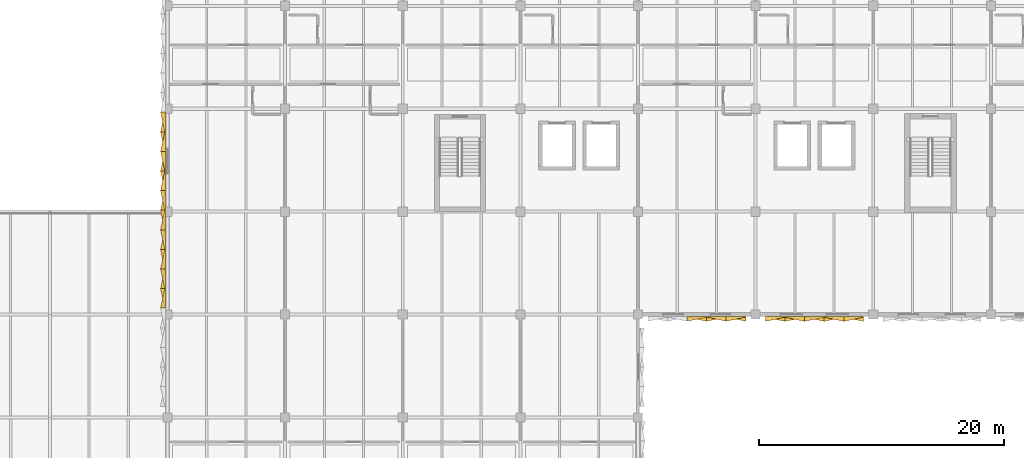
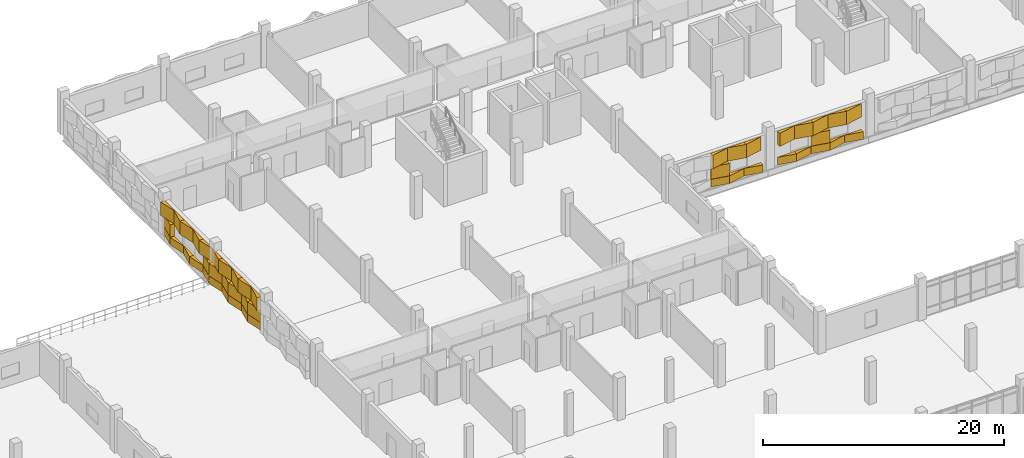
# One storey, part 82 of 86: 45 coverings.
"""IFC4 building model written with IfcOpenShell, lengths in metres."""

from ifc_helpers import new_model, si_unit, direction, frame, origin, place, context, subcontext, project, spatial, polyline, outline, extrude, material, type_object, element, save


model = new_model("IFC4")

# Units and contexts
model_context = context("Model", 3, precision=1e-05, world=origin(), true_north=direction((0.0, 1.0)))
body_context = subcontext(model_context, "Body", "Model", "MODEL_VIEW")
ifc_project = project(units=[si_unit("LENGTHUNIT", "METRE"), si_unit("AREAUNIT", "SQUARE_METRE"), si_unit("VOLUMEUNIT", "CUBIC_METRE"), si_unit("PLANEANGLEUNIT", "RADIAN"), si_unit("MASSUNIT", "GRAM", prefix="KILO")], contexts=[model_context])

# Site, building, storey
site_placement = place(None, origin())
site = spatial("IfcSite", under=ifc_project, at=site_placement, CompositionType="ELEMENT")
building_placement = place(site_placement, origin())
building = spatial("IfcBuilding", under=site, at=building_placement, Name="Oolite Switchyard Hospital", CompositionType="ELEMENT")
storey_placement = place(building_placement, frame((0.0, 0.0, 13.5)))
storey = spatial("IfcBuildingStorey", under=building, at=storey_placement, Name="L03", CompositionType="ELEMENT", Elevation=13.5)

# Coverings
ifc_material = material(Name="Precast oolitic limestone architectural concrete C40/50", Category="masonry")
covering_type = type_object("IfcCoveringType", Name="COV-CHEV-COOL", PredefinedType="CLADDING", material=ifc_material)
covering_1_placement = place(storey_placement, frame((181.60009765625, 100.639892578125, 0.050048828125), z_axis=(0.0, 0.0, 1.0), x_axis=(-1.0, 0.0, 0.0)))
element("IfcCovering", 1, at=covering_1_placement, inside=storey, type_object=covering_type, Name="L03 Chevron Precast Oolite Panel 133", PredefinedType="CLADDING", context=body_context, shape_type="SweptSolid", body=[
    extrude(outline(polyline([(0.0, 0.0), (1.60009765625, 0.0), (1.60009765625, 0.044921875), (0.0, 0.385009765625), (0.0, 0.0)])), origin(), (0.0, 0.0, 1.0), 0.760009765625),
])
covering_2_placement = place(storey_placement, frame((181.60009765625, 100.639892578125, 2.090087890625), z_axis=(0.0, 0.0, 1.0), x_axis=(-1.0, 0.0, 0.0)))
element("IfcCovering", 2, at=covering_2_placement, inside=storey, type_object=covering_type, Name="L03 Chevron Precast Oolite Panel 134", PredefinedType="CLADDING", context=body_context, shape_type="SweptSolid", body=[
    extrude(outline(polyline([(0.0, 0.0), (1.60009765625, 0.0), (1.60009765625, 0.385009765625), (0.0, 0.044921875), (0.0, 0.0)])), origin(), (0.0, 0.0, 1.0), 1.349853515625),
])
covering_3_placement = place(storey_placement, frame((180.0, 100.639892578125, 0.050048828125), z_axis=(0.0, 0.0, 1.0), x_axis=(-1.0, 0.0, 0.0)))
element("IfcCovering", 3, at=covering_3_placement, inside=storey, type_object=covering_type, Name="L03 Chevron Precast Oolite Panel 135", PredefinedType="CLADDING", context=body_context, shape_type="SweptSolid", body=[
    extrude(outline(polyline([(0.0, 0.0), (1.60009765625, 0.0), (1.60009765625, 0.385009765625), (0.0, 0.044921875), (0.0, 0.0)])), origin(), (0.0, 0.0, 1.0), 0.760009765625),
])
covering_4_placement = place(storey_placement, frame((180.0, 100.639892578125, 2.090087890625), z_axis=(0.0, 0.0, 1.0), x_axis=(-1.0, 0.0, 0.0)))
element("IfcCovering", 4, at=covering_4_placement, inside=storey, type_object=covering_type, Name="L03 Chevron Precast Oolite Panel 136", PredefinedType="CLADDING", context=body_context, shape_type="SweptSolid", body=[
    extrude(outline(polyline([(0.0, 0.0), (1.60009765625, 0.0), (1.60009765625, 0.044921875), (0.0, 0.385009765625), (0.0, 0.0)])), origin(), (0.0, 0.0, 1.0), 1.349853515625),
])
covering_5_placement = place(storey_placement, frame((178.39990234375, 100.639892578125, 0.050048828125), z_axis=(0.0, 0.0, 1.0), x_axis=(-1.0, 0.0, 0.0)))
element("IfcCovering", 5, at=covering_5_placement, inside=storey, type_object=covering_type, Name="L03 Chevron Precast Oolite Panel 137", PredefinedType="CLADDING", context=body_context, shape_type="SweptSolid", body=[
    extrude(outline(polyline([(0.0, 0.0), (1.599853515625, 0.0), (1.599853515625, 0.044921875), (0.0, 0.385009765625), (0.0, 0.0)])), origin(), (0.0, 0.0, 1.0), 0.760009765625),
])
covering_6_placement = place(storey_placement, frame((178.39990234375, 100.639892578125, 2.090087890625), z_axis=(0.0, 0.0, 1.0), x_axis=(-1.0, 0.0, 0.0)))
element("IfcCovering", 6, at=covering_6_placement, inside=storey, type_object=covering_type, Name="L03 Chevron Precast Oolite Panel 138", PredefinedType="CLADDING", context=body_context, shape_type="SweptSolid", body=[
    extrude(outline(polyline([(0.0, 0.0), (1.599853515625, 0.0), (1.599853515625, 0.385009765625), (0.0, 0.044921875), (0.0, 0.0)])), origin(), (0.0, 0.0, 1.0), 1.349853515625),
])
covering_7_placement = place(storey_placement, frame((178.39990234375, 100.639892578125, 0.830078125), z_axis=(0.0, 0.0, 1.0), x_axis=(-1.0, 0.0, 0.0)))
element("IfcCovering", 7, at=covering_7_placement, inside=storey, type_object=covering_type, Name="L03 Chevron Precast Oolite Panel 139", PredefinedType="CLADDING", context=body_context, shape_type="SweptSolid", body=[
    extrude(outline(polyline([(0.0, 0.0), (1.599853515625, 0.0), (1.599853515625, 0.044921875), (0.0, 0.385009765625), (0.0, 0.0)])), origin(), (0.0, 0.0, 1.0), 1.239990234375),
])
covering_8_placement = place(storey_placement, frame((191.199951171875, 100.6298828125, 0.050048828125), z_axis=(0.0, 0.0, 1.0), x_axis=(-1.0, 0.0, 0.0)))
element("IfcCovering", 8, at=covering_8_placement, inside=storey, type_object=covering_type, Name="L03 Chevron Precast Oolite Panel 144", PredefinedType="CLADDING", context=body_context, shape_type="SweptSolid", body=[
    extrude(outline(polyline([(0.0, 0.0), (1.599853515625, 0.0), (1.599853515625, 0.044921875), (0.0, 0.385009765625), (0.0, 0.0)])), origin(), (0.0, 0.0, 1.0), 0.760009765625),
])
covering_9_placement = place(storey_placement, frame((191.199951171875, 100.6298828125, 2.090087890625), z_axis=(0.0, 0.0, 1.0), x_axis=(-1.0, 0.0, 0.0)))
element("IfcCovering", 9, at=covering_9_placement, inside=storey, type_object=covering_type, Name="L03 Chevron Precast Oolite Panel 145", PredefinedType="CLADDING", context=body_context, shape_type="SweptSolid", body=[
    extrude(outline(polyline([(0.0, 0.0), (1.599853515625, 0.0), (1.599853515625, 0.385009765625), (0.0, 0.044921875), (0.0, 0.0)])), origin(), (0.0, 0.0, 1.0), 1.349853515625),
])
covering_10_placement = place(storey_placement, frame((189.60009765625, 100.6298828125, 0.050048828125), z_axis=(0.0, 0.0, 1.0), x_axis=(-1.0, 0.0, 0.0)))
element("IfcCovering", 10, at=covering_10_placement, inside=storey, type_object=covering_type, Name="L03 Chevron Precast Oolite Panel 146", PredefinedType="CLADDING", context=body_context, shape_type="SweptSolid", body=[
    extrude(outline(polyline([(0.0, 0.0), (1.60009765625, 0.0), (1.60009765625, 0.385009765625), (0.0, 0.044921875), (0.0, 0.0)])), origin(), (0.0, 0.0, 1.0), 0.760009765625),
])
covering_11_placement = place(storey_placement, frame((189.60009765625, 100.6298828125, 2.090087890625), z_axis=(0.0, 0.0, 1.0), x_axis=(-1.0, 0.0, 0.0)))
element("IfcCovering", 11, at=covering_11_placement, inside=storey, type_object=covering_type, Name="L03 Chevron Precast Oolite Panel 147", PredefinedType="CLADDING", context=body_context, shape_type="SweptSolid", body=[
    extrude(outline(polyline([(0.0, 0.0), (1.60009765625, 0.0), (1.60009765625, 0.044921875), (0.0, 0.385009765625), (0.0, 0.0)])), origin(), (0.0, 0.0, 1.0), 1.349853515625),
])
covering_12_placement = place(storey_placement, frame((188.0, 100.6298828125, 0.050048828125), z_axis=(0.0, 0.0, 1.0), x_axis=(-1.0, 0.0, 0.0)))
element("IfcCovering", 12, at=covering_12_placement, inside=storey, type_object=covering_type, Name="L03 Chevron Precast Oolite Panel 148", PredefinedType="CLADDING", context=body_context, shape_type="SweptSolid", body=[
    extrude(outline(polyline([(0.0, 0.0), (1.60009765625, 0.0), (1.60009765625, 0.044921875), (0.0, 0.385009765625), (0.0, 0.0)])), origin(), (0.0, 0.0, 1.0), 0.760009765625),
])
covering_13_placement = place(storey_placement, frame((188.0, 100.6298828125, 2.090087890625), z_axis=(0.0, 0.0, 1.0), x_axis=(-1.0, 0.0, 0.0)))
element("IfcCovering", 13, at=covering_13_placement, inside=storey, type_object=covering_type, Name="L03 Chevron Precast Oolite Panel 149", PredefinedType="CLADDING", context=body_context, shape_type="SweptSolid", body=[
    extrude(outline(polyline([(0.0, 0.0), (1.60009765625, 0.0), (1.60009765625, 0.385009765625), (0.0, 0.044921875), (0.0, 0.0)])), origin(), (0.0, 0.0, 1.0), 1.349853515625),
])
covering_14_placement = place(storey_placement, frame((188.0, 100.6298828125, 0.830078125), z_axis=(0.0, 0.0, 1.0), x_axis=(-1.0, 0.0, 0.0)))
element("IfcCovering", 14, at=covering_14_placement, inside=storey, type_object=covering_type, Name="L03 Chevron Precast Oolite Panel 150", PredefinedType="CLADDING", context=body_context, shape_type="SweptSolid", body=[
    extrude(outline(polyline([(0.0, 0.0), (1.60009765625, 0.0), (1.60009765625, 0.044921875), (0.0, 0.385009765625), (0.0, 0.0)])), origin(), (0.0, 0.0, 1.0), 1.239990234375),
])
covering_15_placement = place(storey_placement, frame((186.39990234375, 100.6298828125, 0.050048828125), z_axis=(0.0, 0.0, 1.0), x_axis=(-1.0, 0.0, 0.0)))
element("IfcCovering", 15, at=covering_15_placement, inside=storey, type_object=covering_type, Name="L03 Chevron Precast Oolite Panel 151", PredefinedType="CLADDING", context=body_context, shape_type="SweptSolid", body=[
    extrude(outline(polyline([(0.0, 0.0), (1.599853515625, 0.0), (1.599853515625, 0.385009765625), (0.0, 0.044921875), (0.0, 0.0)])), origin(), (0.0, 0.0, 1.0), 0.760009765625),
])
covering_16_placement = place(storey_placement, frame((186.39990234375, 100.6298828125, 2.090087890625), z_axis=(0.0, 0.0, 1.0), x_axis=(-1.0, 0.0, 0.0)))
element("IfcCovering", 16, at=covering_16_placement, inside=storey, type_object=covering_type, Name="L03 Chevron Precast Oolite Panel 152", PredefinedType="CLADDING", context=body_context, shape_type="SweptSolid", body=[
    extrude(outline(polyline([(0.0, 0.0), (1.599853515625, 0.0), (1.599853515625, 0.044921875), (0.0, 0.385009765625), (0.0, 0.0)])), origin(), (0.0, 0.0, 1.0), 1.349853515625),
])
covering_17_placement = place(storey_placement, frame((184.800048828125, 100.6298828125, 0.050048828125), z_axis=(0.0, 0.0, 1.0), x_axis=(-1.0, 0.0, 0.0)))
element("IfcCovering", 17, at=covering_17_placement, inside=storey, type_object=covering_type, Name="L03 Chevron Precast Oolite Panel 153", PredefinedType="CLADDING", context=body_context, shape_type="SweptSolid", body=[
    extrude(outline(polyline([(0.0, 0.0), (1.60009765625, 0.0), (1.60009765625, 0.044921875), (0.0, 0.385009765625), (0.0, 0.0)])), origin(), (0.0, 0.0, 1.0), 0.760009765625),
])
covering_18_placement = place(storey_placement, frame((184.800048828125, 100.6298828125, 2.090087890625), z_axis=(0.0, 0.0, 1.0), x_axis=(-1.0, 0.0, 0.0)))
element("IfcCovering", 18, at=covering_18_placement, inside=storey, type_object=covering_type, Name="L03 Chevron Precast Oolite Panel 154", PredefinedType="CLADDING", context=body_context, shape_type="SweptSolid", body=[
    extrude(outline(polyline([(0.0, 0.0), (1.60009765625, 0.0), (1.60009765625, 0.385009765625), (0.0, 0.044921875), (0.0, 0.0)])), origin(), (0.0, 0.0, 1.0), 1.349853515625),
])
covering_19_placement = place(storey_placement, frame((134.219970703125, 101.320068359375, 0.050048828125), z_axis=(0.0, 0.0, 1.0), x_axis=(0.0, 1.0, 0.0)))
element("IfcCovering", 19, at=covering_19_placement, inside=storey, type_object=covering_type, Name="L03 Chevron Precast Oolite Panel 479", PredefinedType="CLADDING", context=body_context, shape_type="SweptSolid", body=[
    extrude(outline(polyline([(0.0, 0.0), (1.599853515625, 0.0), (1.599853515625, 0.385009765625), (0.0, 0.044921875), (0.0, 0.0)])), origin(), (0.0, 0.0, 1.0), 0.760009765625),
])
covering_20_placement = place(storey_placement, frame((134.219970703125, 101.320068359375, 2.090087890625), z_axis=(0.0, 0.0, 1.0), x_axis=(0.0, 1.0, 0.0)))
element("IfcCovering", 20, at=covering_20_placement, inside=storey, type_object=covering_type, Name="L03 Chevron Precast Oolite Panel 480", PredefinedType="CLADDING", context=body_context, shape_type="SweptSolid", body=[
    extrude(outline(polyline([(0.0, 0.0), (1.599853515625, 0.0), (1.599853515625, 0.044921875), (0.0, 0.385009765625), (0.0, 0.0)])), origin(), (0.0, 0.0, 1.0), 1.349853515625),
])
covering_21_placement = place(storey_placement, frame((134.219970703125, 101.320068359375, 0.830078125), z_axis=(0.0, 0.0, 1.0), x_axis=(0.0, 1.0, 0.0)))
element("IfcCovering", 21, at=covering_21_placement, inside=storey, type_object=covering_type, Name="L03 Chevron Precast Oolite Panel 481", PredefinedType="CLADDING", context=body_context, shape_type="SweptSolid", body=[
    extrude(outline(polyline([(0.0, 0.0), (1.599853515625, 0.0), (1.599853515625, 0.385009765625), (0.0, 0.044921875), (0.0, 0.0)])), origin(), (0.0, 0.0, 1.0), 1.239990234375),
])
covering_22_placement = place(storey_placement, frame((134.219970703125, 102.919921875, 0.050048828125), z_axis=(0.0, 0.0, 1.0), x_axis=(0.0, 1.0, 0.0)))
element("IfcCovering", 22, at=covering_22_placement, inside=storey, type_object=covering_type, Name="L03 Chevron Precast Oolite Panel 482", PredefinedType="CLADDING", context=body_context, shape_type="SweptSolid", body=[
    extrude(outline(polyline([(0.0, 0.0), (1.60009765625, 0.0), (1.60009765625, 0.044921875), (0.0, 0.385009765625), (0.0, 0.0)])), origin(), (0.0, 0.0, 1.0), 0.760009765625),
])
covering_23_placement = place(storey_placement, frame((134.219970703125, 102.919921875, 2.090087890625), z_axis=(0.0, 0.0, 1.0), x_axis=(0.0, 1.0, 0.0)))
element("IfcCovering", 23, at=covering_23_placement, inside=storey, type_object=covering_type, Name="L03 Chevron Precast Oolite Panel 483", PredefinedType="CLADDING", context=body_context, shape_type="SweptSolid", body=[
    extrude(outline(polyline([(0.0, 0.0), (1.60009765625, 0.0), (1.60009765625, 0.385009765625), (0.0, 0.044921875), (0.0, 0.0)])), origin(), (0.0, 0.0, 1.0), 1.349853515625),
])
covering_24_placement = place(storey_placement, frame((134.219970703125, 102.919921875, 0.830078125), z_axis=(0.0, 0.0, 1.0), x_axis=(0.0, 1.0, 0.0)))
element("IfcCovering", 24, at=covering_24_placement, inside=storey, type_object=covering_type, Name="L03 Chevron Precast Oolite Panel 484", PredefinedType="CLADDING", context=body_context, shape_type="SweptSolid", body=[
    extrude(outline(polyline([(0.0, 0.0), (1.60009765625, 0.0), (1.60009765625, 0.044921875), (0.0, 0.385009765625), (0.0, 0.0)])), origin(), (0.0, 0.0, 1.0), 1.239990234375),
])
covering_25_placement = place(storey_placement, frame((134.219970703125, 104.52001953125, 0.050048828125), z_axis=(0.0, 0.0, 1.0), x_axis=(0.0, 1.0, 0.0)))
element("IfcCovering", 25, at=covering_25_placement, inside=storey, type_object=covering_type, Name="L03 Chevron Precast Oolite Panel 485", PredefinedType="CLADDING", context=body_context, shape_type="SweptSolid", body=[
    extrude(outline(polyline([(0.0, 0.0), (1.60009765625, 0.0), (1.60009765625, 0.385009765625), (0.0, 0.044921875), (0.0, 0.0)])), origin(), (0.0, 0.0, 1.0), 0.760009765625),
])
covering_26_placement = place(storey_placement, frame((134.219970703125, 104.52001953125, 2.090087890625), z_axis=(0.0, 0.0, 1.0), x_axis=(0.0, 1.0, 0.0)))
element("IfcCovering", 26, at=covering_26_placement, inside=storey, type_object=covering_type, Name="L03 Chevron Precast Oolite Panel 486", PredefinedType="CLADDING", context=body_context, shape_type="SweptSolid", body=[
    extrude(outline(polyline([(0.0, 0.0), (1.60009765625, 0.0), (1.60009765625, 0.044921875), (0.0, 0.385009765625), (0.0, 0.0)])), origin(), (0.0, 0.0, 1.0), 1.349853515625),
])
covering_27_placement = place(storey_placement, frame((134.219970703125, 104.52001953125, 0.830078125), z_axis=(0.0, 0.0, 1.0), x_axis=(0.0, 1.0, 0.0)))
element("IfcCovering", 27, at=covering_27_placement, inside=storey, type_object=covering_type, Name="L03 Chevron Precast Oolite Panel 487", PredefinedType="CLADDING", context=body_context, shape_type="SweptSolid", body=[
    extrude(outline(polyline([(0.0, 0.0), (1.60009765625, 0.0), (1.60009765625, 0.385009765625), (0.0, 0.044921875), (0.0, 0.0)])), origin(), (0.0, 0.0, 1.0), 1.239990234375),
])
covering_28_placement = place(storey_placement, frame((134.219970703125, 106.1201171875, 0.050048828125), z_axis=(0.0, 0.0, 1.0), x_axis=(0.0, 1.0, 0.0)))
element("IfcCovering", 28, at=covering_28_placement, inside=storey, type_object=covering_type, Name="L03 Chevron Precast Oolite Panel 488", PredefinedType="CLADDING", context=body_context, shape_type="SweptSolid", body=[
    extrude(outline(polyline([(0.0, 0.0), (1.599853515625, 0.0), (1.599853515625, 0.044921875), (0.0, 0.385009765625), (0.0, 0.0)])), origin(), (0.0, 0.0, 1.0), 0.760009765625),
])
covering_29_placement = place(storey_placement, frame((134.219970703125, 106.1201171875, 2.090087890625), z_axis=(0.0, 0.0, 1.0), x_axis=(0.0, 1.0, 0.0)))
element("IfcCovering", 29, at=covering_29_placement, inside=storey, type_object=covering_type, Name="L03 Chevron Precast Oolite Panel 489", PredefinedType="CLADDING", context=body_context, shape_type="SweptSolid", body=[
    extrude(outline(polyline([(0.0, 0.0), (1.599853515625, 0.0), (1.599853515625, 0.385009765625), (0.0, 0.044921875), (0.0, 0.0)])), origin(), (0.0, 0.0, 1.0), 1.349853515625),
])
covering_30_placement = place(storey_placement, frame((134.219970703125, 106.1201171875, 0.830078125), z_axis=(0.0, 0.0, 1.0), x_axis=(0.0, 1.0, 0.0)))
element("IfcCovering", 30, at=covering_30_placement, inside=storey, type_object=covering_type, Name="L03 Chevron Precast Oolite Panel 490", PredefinedType="CLADDING", context=body_context, shape_type="SweptSolid", body=[
    extrude(outline(polyline([(0.0, 0.0), (1.599853515625, 0.0), (1.599853515625, 0.044921875), (0.0, 0.385009765625), (0.0, 0.0)])), origin(), (0.0, 0.0, 1.0), 1.239990234375),
])
covering_31_placement = place(storey_placement, frame((134.219970703125, 107.719970703125, 0.050048828125), z_axis=(0.0, 0.0, 1.0), x_axis=(0.0, 1.0, 0.0)))
element("IfcCovering", 31, at=covering_31_placement, inside=storey, type_object=covering_type, Name="L03 Chevron Precast Oolite Panel 491", PredefinedType="CLADDING", context=body_context, shape_type="SweptSolid", body=[
    extrude(outline(polyline([(0.0, 0.0), (1.60009765625, 0.0), (1.60009765625, 0.385009765625), (0.0, 0.044921875), (0.0, 0.0)])), origin(), (0.0, 0.0, 1.0), 0.760009765625),
])
covering_32_placement = place(storey_placement, frame((134.219970703125, 107.719970703125, 2.090087890625), z_axis=(0.0, 0.0, 1.0), x_axis=(0.0, 1.0, 0.0)))
element("IfcCovering", 32, at=covering_32_placement, inside=storey, type_object=covering_type, Name="L03 Chevron Precast Oolite Panel 492", PredefinedType="CLADDING", context=body_context, shape_type="SweptSolid", body=[
    extrude(outline(polyline([(0.0, 0.0), (1.60009765625, 0.0), (1.60009765625, 0.044921875), (0.0, 0.385009765625), (0.0, 0.0)])), origin(), (0.0, 0.0, 1.0), 1.349853515625),
])
covering_33_placement = place(storey_placement, frame((134.219970703125, 107.719970703125, 0.830078125), z_axis=(0.0, 0.0, 1.0), x_axis=(0.0, 1.0, 0.0)))
element("IfcCovering", 33, at=covering_33_placement, inside=storey, type_object=covering_type, Name="L03 Chevron Precast Oolite Panel 493", PredefinedType="CLADDING", context=body_context, shape_type="SweptSolid", body=[
    extrude(outline(polyline([(0.0, 0.0), (1.60009765625, 0.0), (1.60009765625, 0.385009765625), (0.0, 0.044921875), (0.0, 0.0)])), origin(), (0.0, 0.0, 1.0), 1.239990234375),
])
covering_34_placement = place(storey_placement, frame((134.219970703125, 109.320068359375, 0.050048828125), z_axis=(0.0, 0.0, 1.0), x_axis=(0.0, 1.0, 0.0)))
element("IfcCovering", 34, at=covering_34_placement, inside=storey, type_object=covering_type, Name="L03 Chevron Precast Oolite Panel 494", PredefinedType="CLADDING", context=body_context, shape_type="SweptSolid", body=[
    extrude(outline(polyline([(0.0, 0.0), (1.599853515625, 0.0), (1.599853515625, 0.044921875), (0.0, 0.385009765625), (0.0, 0.0)])), origin(), (0.0, 0.0, 1.0), 0.760009765625),
])
covering_35_placement = place(storey_placement, frame((134.219970703125, 109.320068359375, 2.090087890625), z_axis=(0.0, 0.0, 1.0), x_axis=(0.0, 1.0, 0.0)))
element("IfcCovering", 35, at=covering_35_placement, inside=storey, type_object=covering_type, Name="L03 Chevron Precast Oolite Panel 495", PredefinedType="CLADDING", context=body_context, shape_type="SweptSolid", body=[
    extrude(outline(polyline([(0.0, 0.0), (1.599853515625, 0.0), (1.599853515625, 0.385009765625), (0.0, 0.044921875), (0.0, 0.0)])), origin(), (0.0, 0.0, 1.0), 1.349853515625),
])
covering_36_placement = place(storey_placement, frame((134.219970703125, 109.320068359375, 0.830078125), z_axis=(0.0, 0.0, 1.0), x_axis=(0.0, 1.0, 0.0)))
element("IfcCovering", 36, at=covering_36_placement, inside=storey, type_object=covering_type, Name="L03 Chevron Precast Oolite Panel 496", PredefinedType="CLADDING", context=body_context, shape_type="SweptSolid", body=[
    extrude(outline(polyline([(0.0, 0.0), (1.599853515625, 0.0), (1.599853515625, 0.044921875), (0.0, 0.385009765625), (0.0, 0.0)])), origin(), (0.0, 0.0, 1.0), 1.239990234375),
])
covering_37_placement = place(storey_placement, frame((134.219970703125, 110.919921875, 0.050048828125), z_axis=(0.0, 0.0, 1.0), x_axis=(0.0, 1.0, 0.0)))
element("IfcCovering", 37, at=covering_37_placement, inside=storey, type_object=covering_type, Name="L03 Chevron Precast Oolite Panel 497", PredefinedType="CLADDING", context=body_context, shape_type="SweptSolid", body=[
    extrude(outline(polyline([(0.0, 0.0), (1.60009765625, 0.0), (1.60009765625, 0.385009765625), (0.0, 0.044921875), (0.0, 0.0)])), origin(), (0.0, 0.0, 1.0), 0.760009765625),
])
covering_38_placement = place(storey_placement, frame((134.219970703125, 110.919921875, 2.090087890625), z_axis=(0.0, 0.0, 1.0), x_axis=(0.0, 1.0, 0.0)))
element("IfcCovering", 38, at=covering_38_placement, inside=storey, type_object=covering_type, Name="L03 Chevron Precast Oolite Panel 498", PredefinedType="CLADDING", context=body_context, shape_type="SweptSolid", body=[
    extrude(outline(polyline([(0.0, 0.0), (1.60009765625, 0.0), (1.60009765625, 0.044921875), (0.0, 0.385009765625), (0.0, 0.0)])), origin(), (0.0, 0.0, 1.0), 1.349853515625),
])
covering_39_placement = place(storey_placement, frame((134.219970703125, 112.52001953125, 0.050048828125), z_axis=(0.0, 0.0, 1.0), x_axis=(0.0, 1.0, 0.0)))
element("IfcCovering", 39, at=covering_39_placement, inside=storey, type_object=covering_type, Name="L03 Chevron Precast Oolite Panel 499", PredefinedType="CLADDING", context=body_context, shape_type="SweptSolid", body=[
    extrude(outline(polyline([(0.0, 0.0), (1.60009765625, 0.0), (1.60009765625, 0.044921875), (0.0, 0.385009765625), (0.0, 0.0)])), origin(), (0.0, 0.0, 1.0), 0.760009765625),
])
covering_40_placement = place(storey_placement, frame((134.219970703125, 112.52001953125, 2.090087890625), z_axis=(0.0, 0.0, 1.0), x_axis=(0.0, 1.0, 0.0)))
element("IfcCovering", 40, at=covering_40_placement, inside=storey, type_object=covering_type, Name="L03 Chevron Precast Oolite Panel 500", PredefinedType="CLADDING", context=body_context, shape_type="SweptSolid", body=[
    extrude(outline(polyline([(0.0, 0.0), (1.60009765625, 0.0), (1.60009765625, 0.385009765625), (0.0, 0.044921875), (0.0, 0.0)])), origin(), (0.0, 0.0, 1.0), 1.349853515625),
])
covering_41_placement = place(storey_placement, frame((134.219970703125, 114.1201171875, 0.050048828125), z_axis=(0.0, 0.0, 1.0), x_axis=(0.0, 1.0, 0.0)))
element("IfcCovering", 41, at=covering_41_placement, inside=storey, type_object=covering_type, Name="L03 Chevron Precast Oolite Panel 501", PredefinedType="CLADDING", context=body_context, shape_type="SweptSolid", body=[
    extrude(outline(polyline([(0.0, 0.0), (1.599853515625, 0.0), (1.599853515625, 0.385009765625), (0.0, 0.044921875), (0.0, 0.0)])), origin(), (0.0, 0.0, 1.0), 0.760009765625),
])
covering_42_placement = place(storey_placement, frame((134.219970703125, 114.1201171875, 2.090087890625), z_axis=(0.0, 0.0, 1.0), x_axis=(0.0, 1.0, 0.0)))
element("IfcCovering", 42, at=covering_42_placement, inside=storey, type_object=covering_type, Name="L03 Chevron Precast Oolite Panel 502", PredefinedType="CLADDING", context=body_context, shape_type="SweptSolid", body=[
    extrude(outline(polyline([(0.0, 0.0), (1.599853515625, 0.0), (1.599853515625, 0.044921875), (0.0, 0.385009765625), (0.0, 0.0)])), origin(), (0.0, 0.0, 1.0), 1.349853515625),
])
covering_43_placement = place(storey_placement, frame((134.219970703125, 115.719970703125, 0.050048828125), z_axis=(0.0, 0.0, 1.0), x_axis=(0.0, 1.0, 0.0)))
element("IfcCovering", 43, at=covering_43_placement, inside=storey, type_object=covering_type, Name="L03 Chevron Precast Oolite Panel 503", PredefinedType="CLADDING", context=body_context, shape_type="SweptSolid", body=[
    extrude(outline(polyline([(0.0, 0.0), (1.60009765625, 0.0), (1.60009765625, 0.044921875), (0.0, 0.385009765625), (0.0, 0.0)])), origin(), (0.0, 0.0, 1.0), 0.760009765625),
])
covering_44_placement = place(storey_placement, frame((134.219970703125, 115.719970703125, 2.090087890625), z_axis=(0.0, 0.0, 1.0), x_axis=(0.0, 1.0, 0.0)))
element("IfcCovering", 44, at=covering_44_placement, inside=storey, type_object=covering_type, Name="L03 Chevron Precast Oolite Panel 504", PredefinedType="CLADDING", context=body_context, shape_type="SweptSolid", body=[
    extrude(outline(polyline([(0.0, 0.0), (1.60009765625, 0.0), (1.60009765625, 0.385009765625), (0.0, 0.044921875), (0.0, 0.0)])), origin(), (0.0, 0.0, 1.0), 1.349853515625),
])
covering_45_placement = place(storey_placement, frame((134.219970703125, 115.719970703125, 0.830078125), z_axis=(0.0, 0.0, 1.0), x_axis=(0.0, 1.0, 0.0)))
element("IfcCovering", 45, at=covering_45_placement, inside=storey, type_object=covering_type, Name="L03 Chevron Precast Oolite Panel 505", PredefinedType="CLADDING", context=body_context, shape_type="SweptSolid", body=[
    extrude(outline(polyline([(0.0, 0.0), (1.60009765625, 0.0), (1.60009765625, 0.044921875), (0.0, 0.385009765625), (0.0, 0.0)])), origin(), (0.0, 0.0, 1.0), 1.239990234375),
])

save(model, "model.ifc")
